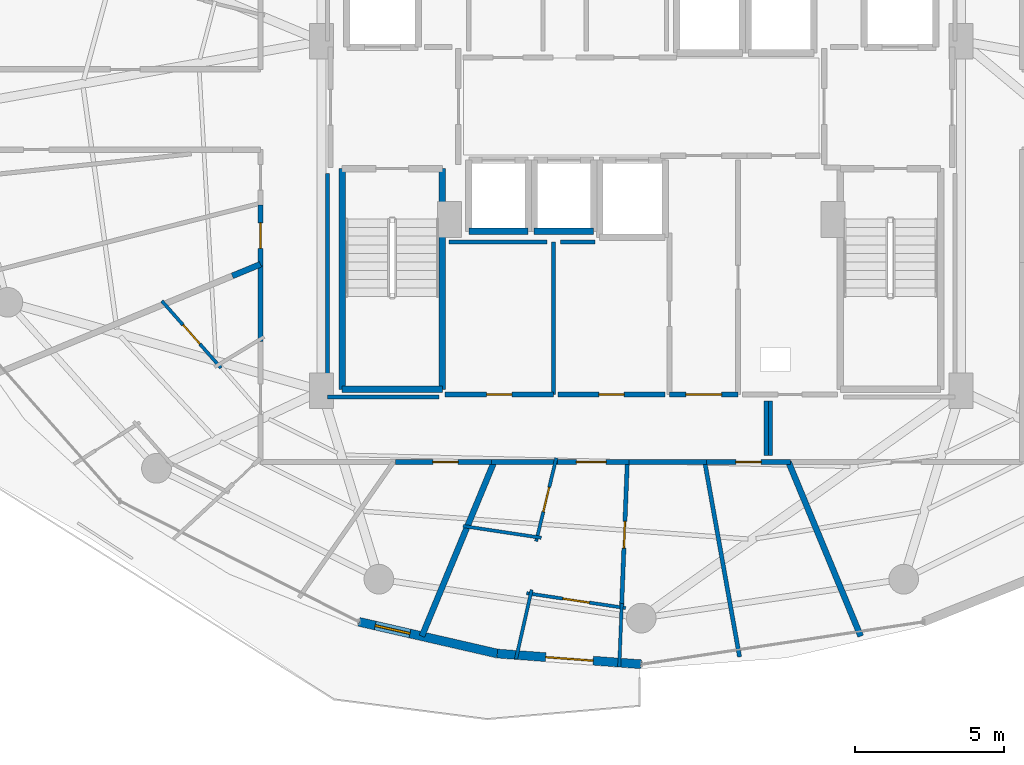
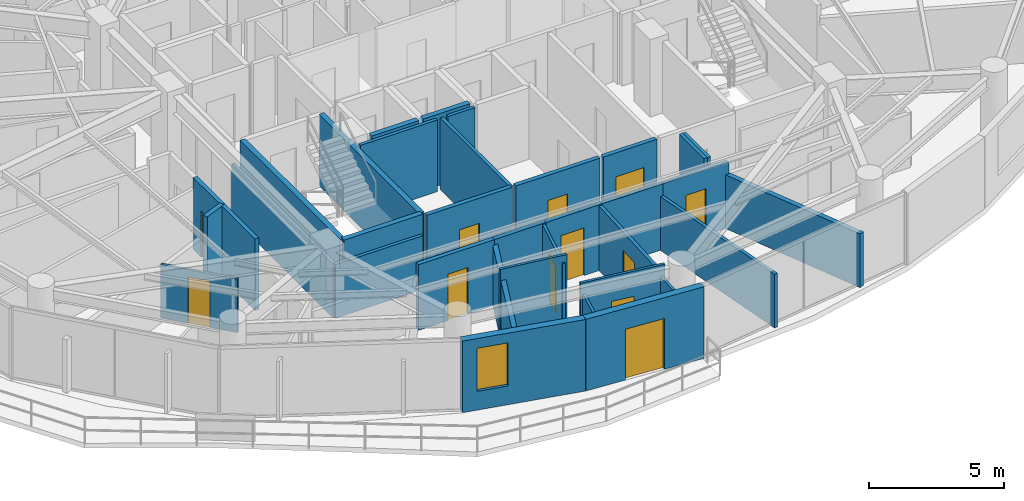
# One storey, part 20 of 28: 35 walls, 12 doors, 1 window, 13 openings.
"""IFC4 building model written with IfcOpenShell, lengths in metres."""

from ifc_helpers import new_model, si_unit, direction, frame, frame_2d, origin, place, context, subcontext, project, spatial, rectangle, extrude, material, layer, layer_set, type_object, element, fill, save


model = new_model("IFC4")

# Units and contexts
model_context = context("Model", 3, precision=1e-05, world=origin(), true_north=direction((0.0, 1.0)))
body_context = subcontext(model_context, "Body", "Model", "MODEL_VIEW")
ifc_project = project(units=[si_unit("LENGTHUNIT", "METRE"), si_unit("AREAUNIT", "SQUARE_METRE"), si_unit("VOLUMEUNIT", "CUBIC_METRE"), si_unit("PLANEANGLEUNIT", "RADIAN"), si_unit("MASSUNIT", "GRAM", prefix="KILO")], contexts=[model_context])

# Site, building, storey
site_placement = place(None, origin())
site = spatial("IfcSite", under=ifc_project, at=site_placement, CompositionType="ELEMENT")
building_placement = place(site_placement, origin())
building = spatial("IfcBuilding", under=site, at=building_placement, Name="Vorneva Point Tower", CompositionType="ELEMENT")
storey_placement = place(building_placement, frame((0.0, 0.0, 143.10009765625)))
storey = spatial("IfcBuildingStorey", under=building, at=storey_placement, Name="L38", CompositionType="ELEMENT", Elevation=143.10009765625)

# Wall, opening, window
ifc_material_1 = material(Name="Precast concrete B50 (C40/50)", Category="concrete")
ifc_layer_1 = layer(ifc_material_1, 0.300048828125)
ifc_layer_set_1 = layer_set([ifc_layer_1], Name="Precast concrete B50 (C40/50)")
wall_type_1 = type_object("IfcWallType", Name="WL-EXT-300", PredefinedType="STANDARD", material=ifc_layer_set_1)
wall_1_placement = place(storey_placement, frame((28.509521484375, 8.67724609375, 0.0), z_axis=(0.0, 0.0, 1.0), x_axis=(0.974698897188, -0.223521944832, 0.0)))
wall_1 = element("IfcWall", 1, at=wall_1_placement, inside=storey, type_object=wall_type_1, Name="L38 Pale-Metal Facade Spandrel Wall 12.1", PredefinedType="STANDARD", context=body_context, shape_type="SweptSolid", body=[
    extrude(rectangle(XDim=4.773193359375, YDim=0.300048828125, at=frame_2d((2.38671875, 0.0))), origin(), (0.0, 0.0, 1.0), 3.239990234375),
])
opening_1_placement = place(wall_1_placement, frame((0.55908203125, 0.0, 0.85009765625)))
opening_1 = element("IfcOpeningElement", 2, at=opening_1_placement, cuts=wall_1, Name="Opening W-04", PredefinedType="OPENING", context=body_context, shape_type="SweptSolid", body=[
    extrude(rectangle(XDim=1.199951171875, YDim=1.949951171875, at=frame_2d((0.60009765625, 0.97509765625))), frame((0.0, 0.1650390625, 0.0), z_axis=(0.0, -1.0, 0.0), x_axis=(1.0, 0.0, 0.0)), (0.0, 0.0, 1.0), 0.329833984375),
])
ifc_material_2 = material(Name="Double low-e laminated glass IGU", Category="glass")
window_type = type_object("IfcWindowType", Name="WN-RES-1200", PartitioningType="SINGLE_PANEL", PredefinedType="WINDOW", material=ifc_material_2)
window_placement = place(opening_1_placement, origin())
window = element("IfcWindow", 3, at=window_placement, inside=storey, type_object=window_type, Name="L38 Dwelling Vision Window 02", OverallHeight=1.949951171875, OverallWidth=1.199951171875, PartitioningType="SINGLE_PANEL", PredefinedType="WINDOW", context=body_context, shape_type="SweptSolid", body=[
    extrude(rectangle(XDim=1.199951171875, YDim=1.949951171875, at=frame_2d((0.60009765625, 0.97509765625))), frame((0.0, 0.030029296875, 0.0), z_axis=(0.0, -1.0, 0.0), x_axis=(1.0, 0.0, 0.0)), (0.0, 0.0, 1.0), 0.06005859375),
])
fill(opening_1, window)

# Wall, opening, door
wall_2_placement = place(storey_placement, frame((33.161865234375, 7.6103515625, 0.0), z_axis=(0.0, 0.0, 1.0), x_axis=(0.997237740067, -0.074275768499, 0.0)))
wall_2 = element("IfcWall", 4, at=wall_2_placement, inside=storey, type_object=wall_type_1, Name="L38 Pale-Metal Facade Spandrel Wall 12.2", PredefinedType="STANDARD", context=body_context, shape_type="SweptSolid", body=[
    extrude(rectangle(XDim=4.8515625, YDim=0.300048828125, at=frame_2d((2.42578125, 0.0))), origin(), (0.0, 0.0, 1.0), 3.239990234375),
])
opening_2_placement = place(wall_2_placement, frame((1.625732421875, 0.0, 0.0)))
opening_2 = element("IfcOpeningElement", 5, at=opening_2_placement, cuts=wall_2, Name="Opening BD-01", PredefinedType="OPENING", context=body_context, shape_type="SweptSolid", body=[
    extrude(rectangle(XDim=1.60009765625, YDim=2.300048828125, at=frame_2d((0.800048828125, 1.14990234375))), frame((0.0, 0.1650390625, 0.0), z_axis=(0.0, -1.0, 0.0), x_axis=(1.0, 0.0, 0.0)), (0.0, 0.0, 1.0), 0.329833984375),
])
ifc_material_3 = material(Name="Pale anodised aluminium", Category="aluminium")
door_type_1 = type_object("IfcDoorType", Name="DR-BAL-1600", OperationType="SLIDING_TO_LEFT", PredefinedType="DOOR", material=ifc_material_3)
door_1_placement = place(opening_2_placement, origin())
door_1 = element("IfcDoor", 6, at=door_1_placement, inside=storey, type_object=door_type_1, Name="L38 Balcony Terrace Access Door 12", OperationType="SLIDING_TO_LEFT", OverallHeight=2.300048828125, OverallWidth=1.60009765625, PredefinedType="DOOR", context=body_context, shape_type="SweptSolid", body=[
    extrude(rectangle(XDim=1.60009765625, YDim=2.300048828125, at=frame_2d((0.800048828125, 1.14990234375))), frame((0.0, 0.02490234375, 0.0), z_axis=(0.0, -1.0, 0.0), x_axis=(1.0, 0.0, 0.0)), (0.0, 0.0, 1.0), 0.050048828125),
])
fill(opening_2, door_1)

ifc_material_4 = material(Name="Fire-rated acoustic gypsum stud partition", Category="gypsum")
ifc_layer_2 = layer(ifc_material_4, 0.110107421875)
ifc_layer_set_2 = layer_set([ifc_layer_2], Name="Fire-rated acoustic gypsum stud partition")
wall_type_2 = type_object("IfcWallType", Name="WL-PART-110", PredefinedType="PARTITIONING", material=ifc_layer_set_2)
wall_3_placement = place(storey_placement, frame((23.87158203125, 17.211181640625, 0.0), z_axis=(0.0, 0.0, 1.0), x_axis=(-0.66196248337, 0.74953697081, 0.0)))
wall_3 = element("IfcWall", 7, at=wall_3_placement, inside=storey, type_object=wall_type_2, Name="L38 Interior Partition 117", PredefinedType="PARTITIONING", context=body_context, shape_type="SweptSolid", body=[
    extrude(rectangle(XDim=3.008056640625, YDim=0.110107421875, at=frame_2d((1.50390625, 0.0))), origin(), (0.0, 0.0, 1.0), 2.431884765625),
])
opening_3_placement = place(wall_3_placement, frame((1.0791015625, 0.0, 0.0)))
opening_3 = element("IfcOpeningElement", 8, at=opening_3_placement, cuts=wall_3, Name="Opening ID-02", PredefinedType="OPENING", context=body_context, shape_type="SweptSolid", body=[
    extrude(rectangle(XDim=0.85009765625, YDim=2.10009765625, at=frame_2d((0.425048828125, 1.050048828125))), frame((0.0, 0.06982421875, 0.0), z_axis=(0.0, -1.0, 0.0), x_axis=(1.0, 0.0, 0.0)), (0.0, 0.0, 1.0), 0.139892578125),
])
ifc_material_5 = material(Name="Engineered oak fire-rated door leaf", Category="wood")
door_type_2 = type_object("IfcDoorType", Name="DR-BATH-850", OperationType="NOTDEFINED", PredefinedType="DOOR", material=ifc_material_5)
door_2_placement = place(opening_3_placement, origin())
door_2 = element("IfcDoor", 9, at=door_2_placement, inside=storey, type_object=door_type_2, Name="L38 Door Living and Dining Room L38-05 / Bathroom L38-05", OperationType="SINGLE_SWING_RIGHT", OverallHeight=2.10009765625, OverallWidth=0.85009765625, PredefinedType="DOOR", context=body_context, shape_type="SweptSolid", body=[
    extrude(rectangle(XDim=0.85009765625, YDim=2.10009765625, at=frame_2d((0.425048828125, 1.050048828125))), frame((0.0, 0.02490234375, 0.0), z_axis=(0.0, -1.0, 0.0), x_axis=(1.0, 0.0, 0.0)), (0.0, 0.0, 1.0), 0.050048828125),
])
fill(opening_3, door_2)

wall_4_placement = place(storey_placement, frame((35.143798828125, 14.18603515625, 0.0), z_axis=(0.0, 0.0, 1.0), x_axis=(-0.234930486238, -0.972012174119, 0.0)))
wall_4 = element("IfcWall", 10, at=wall_4_placement, inside=storey, type_object=wall_type_2, Name="L38 Interior Partition 125", PredefinedType="PARTITIONING", context=body_context, shape_type="SweptSolid", body=[
    extrude(rectangle(XDim=2.880615234375, YDim=0.110107421875, at=frame_2d((1.4404296875, 0.0))), origin(), (0.0, 0.0, 1.0), 2.921875),
])
opening_4_placement = place(wall_4_placement, frame((1.015380859375, 0.0, 0.0)))
opening_4 = element("IfcOpeningElement", 11, at=opening_4_placement, cuts=wall_4, Name="Opening ID-02", PredefinedType="OPENING", context=body_context, shape_type="SweptSolid", body=[
    extrude(rectangle(XDim=0.85009765625, YDim=2.10009765625, at=frame_2d((0.425048828125, 1.050048828125))), frame((0.0, 0.06982421875, 0.0), z_axis=(0.0, -1.0, 0.0), x_axis=(1.0, 0.0, 0.0)), (0.0, 0.0, 1.0), 0.139892578125),
])
door_3_placement = place(opening_4_placement, origin())
door_3 = element("IfcDoor", 12, at=door_3_placement, inside=storey, type_object=door_type_2, Name="L38 Door Living and Dining Room L38-06 / Bathroom L38-06", OperationType="SINGLE_SWING_LEFT", OverallHeight=2.10009765625, OverallWidth=0.85009765625, PredefinedType="DOOR", context=body_context, shape_type="SweptSolid", body=[
    extrude(rectangle(XDim=0.85009765625, YDim=2.10009765625, at=frame_2d((0.425048828125, 1.050048828125))), frame((0.0, 0.02490234375, 0.0), z_axis=(0.0, -1.0, 0.0), x_axis=(1.0, 0.0, 0.0)), (0.0, 0.0, 1.0), 0.050048828125),
])
fill(opening_4, door_3)

# Wall
wall_5_placement = place(storey_placement, frame((34.638427734375, 11.501220703125, 0.0), z_axis=(0.0, 0.0, 1.0), x_axis=(-0.988839741605, 0.148983104484, 0.0)))
element("IfcWall", 13, at=wall_5_placement, inside=storey, type_object=wall_type_2, Name="L38 Interior Partition 126", PredefinedType="PARTITIONING", context=body_context, shape_type="SweptSolid", body=[
    extrude(rectangle(XDim=2.65625, YDim=0.110107421875, at=frame_2d((1.328125, 0.0))), origin(), (0.0, 0.0, 1.0), 3.239990234375),
])

# Wall, opening, door
wall_6_placement = place(storey_placement, frame((34.1455078125, 9.639892578125, 0.0), z_axis=(0.0, 0.0, 1.0), x_axis=(0.988887919082, -0.148662986296, 0.0)))
wall_6 = element("IfcWall", 14, at=wall_6_placement, inside=storey, type_object=wall_type_2, Name="L38 Interior Partition 127", PredefinedType="PARTITIONING", context=body_context, shape_type="SweptSolid", body=[
    extrude(rectangle(XDim=3.3681640625, YDim=0.110107421875, at=frame_2d((1.68408203125, 0.0))), origin(), (0.0, 0.0, 1.0), 3.239990234375),
])
opening_5_placement = place(wall_6_placement, frame((1.234130859375, 0.0, 0.0)))
opening_5 = element("IfcOpeningElement", 15, at=opening_5_placement, cuts=wall_6, Name="Opening ID-01", PredefinedType="OPENING", context=body_context, shape_type="SweptSolid", body=[
    extrude(rectangle(XDim=0.89990234375, YDim=2.10009765625, at=frame_2d((0.449951171875, 1.050048828125))), frame((0.0, 0.06982421875, 0.0), z_axis=(0.0, -1.0, 0.0), x_axis=(1.0, 0.0, 0.0)), (0.0, 0.0, 1.0), 0.139892578125),
])
door_type_3 = type_object("IfcDoorType", Name="DR-ROOM-900", OperationType="NOTDEFINED", PredefinedType="DOOR", material=ifc_material_5)
door_4_placement = place(opening_5_placement, origin())
door_4 = element("IfcDoor", 16, at=door_4_placement, inside=storey, type_object=door_type_3, Name="L38 Door Living and Dining Room L38-06 / Kitchen L38-06", OperationType="SINGLE_SWING_RIGHT", OverallHeight=2.10009765625, OverallWidth=0.89990234375, PredefinedType="DOOR", context=body_context, shape_type="SweptSolid", body=[
    extrude(rectangle(XDim=0.89990234375, YDim=2.10009765625, at=frame_2d((0.449951171875, 1.050048828125))), frame((0.0, 0.02490234375, 0.0), z_axis=(0.0, -1.0, 0.0), x_axis=(1.0, 0.0, 0.0)), (0.0, 0.0, 1.0), 0.050048828125),
])
fill(opening_5, door_4)

# Walls
wall_7_placement = place(storey_placement, frame((33.787109375, 7.425537109375, 0.0), z_axis=(0.0, 0.0, 1.0), x_axis=(0.220932027223, 0.975289208054, 0.0)))
element("IfcWall", 17, at=wall_7_placement, inside=storey, type_object=wall_type_2, Name="L38 Interior Partition 128", PredefinedType="PARTITIONING", context=body_context, shape_type="SweptSolid", body=[
    extrude(rectangle(XDim=2.38916015625, YDim=0.110107421875, at=frame_2d((1.194580078125, 0.0))), origin(), (0.0, 0.0, 1.0), 2.727783203125),
])
wall_8_placement = place(storey_placement, frame((37.259521484375, 7.1650390625, 0.0), z_axis=(0.0, 0.0, 1.0), x_axis=(0.039310852952, 0.999227029679, 0.0)))
element("IfcWall", 18, at=wall_8_placement, inside=storey, type_object=wall_type_2, Name="L38 Interior Partition 130", PredefinedType="PARTITIONING", context=body_context, shape_type="SweptSolid", body=[
    extrude(rectangle(XDim=2.136474609375, YDim=0.110107421875, at=frame_2d((1.068359375, 0.0))), origin(), (0.0, 0.0, 1.0), 2.727783203125),
])
ifc_layer_3 = layer(ifc_material_4, 0.139892578125)
ifc_layer_set_3 = layer_set([ifc_layer_3], Name="Fire-rated acoustic gypsum stud partition")
wall_type_3 = type_object("IfcWallType", Name="WL-PART-140", PredefinedType="PARTITIONING", material=ifc_layer_set_3)
wall_9_placement = place(storey_placement, frame((35.050048828125, 16.320068359375, 0.0), z_axis=(0.0, 0.0, 1.0), x_axis=(0.0, 1.0, 0.0)))
element("IfcWall", 19, at=wall_9_placement, inside=storey, type_object=wall_type_3, Name="L38 Interior Partition 026", PredefinedType="PARTITIONING", context=body_context, shape_type="SweptSolid", body=[
    extrude(rectangle(XDim=5.1298828125, YDim=0.139892578125, at=frame_2d((2.56494140625, 0.0))), origin(), (0.0, 0.0, 1.0), 3.239990234375),
])

# Wall, opening, door
wall_10_placement = place(storey_placement, frame((37.337890625, 9.159912109375, 0.0), z_axis=(0.0, 0.0, 1.0), x_axis=(0.039260769946, 0.99922899875, 0.0)))
wall_10 = element("IfcWall", 20, at=wall_10_placement, inside=storey, type_object=wall_type_3, Name="L38 Interior Partition 129", PredefinedType="PARTITIONING", context=body_context, shape_type="SweptSolid", body=[
    extrude(rectangle(XDim=4.893798828125, YDim=0.139892578125, at=frame_2d((2.44677734375, 0.0))), origin(), (0.0, 0.0, 1.0), 2.921875),
])
opening_6_placement = place(wall_10_placement, frame((1.996826171875, 0.0, 0.0)))
opening_6 = element("IfcOpeningElement", 21, at=opening_6_placement, cuts=wall_10, Name="Opening ID-01", PredefinedType="OPENING", context=body_context, shape_type="SweptSolid", body=[
    extrude(rectangle(XDim=0.89990234375, YDim=2.10009765625, at=frame_2d((0.449951171875, 1.050048828125))), frame((0.0, 0.0849609375, 0.0), z_axis=(0.0, -1.0, 0.0), x_axis=(1.0, 0.0, 0.0)), (0.0, 0.0, 1.0), 0.169677734375),
])
door_5_placement = place(opening_6_placement, origin())
door_5 = element("IfcDoor", 22, at=door_5_placement, inside=storey, type_object=door_type_3, Name="L38 Door Living and Dining Room L38-06 / Master Bedroom L38-06.1", OperationType="SINGLE_SWING_LEFT", OverallHeight=2.10009765625, OverallWidth=0.89990234375, PredefinedType="DOOR", context=body_context, shape_type="SweptSolid", body=[
    extrude(rectangle(XDim=0.89990234375, YDim=2.10009765625, at=frame_2d((0.449951171875, 1.050048828125))), frame((0.0, 0.02490234375, 0.0), z_axis=(0.0, -1.0, 0.0), x_axis=(1.0, 0.0, 0.0)), (0.0, 0.0, 1.0), 0.050048828125),
])
fill(opening_6, door_5)

# Walls
wall_11_placement = place(storey_placement, frame((41.303955078125, 7.4970703125, 0.0), z_axis=(0.0, 0.0, 1.0), x_axis=(-0.175753825846, 0.984434148484, 0.0)))
element("IfcWall", 23, at=wall_11_placement, inside=storey, type_object=wall_type_3, Name="L38 Interior Partition 131", PredefinedType="PARTITIONING", context=body_context, shape_type="SweptSolid", body=[
    extrude(rectangle(XDim=6.656494140625, YDim=0.139892578125, at=frame_2d((3.328125, 0.0))), origin(), (0.0, 0.0, 1.0), 2.431884765625),
])
wall_12_placement = place(storey_placement, frame((34.830078125, 21.449951171875, 0.0), z_axis=(0.0, 0.0, 1.0), x_axis=(-1.0, 0.0, 0.0)))
element("IfcWall", 24, at=wall_12_placement, inside=storey, type_object=wall_type_3, Name="L38 Interior Closure Partition 140", PredefinedType="PARTITIONING", context=body_context, shape_type="SweptSolid", body=[
    extrude(rectangle(XDim=3.300048828125, YDim=0.139892578125, at=frame_2d((1.64990234375, 0.0))), origin(), (0.0, 0.0, 1.0), 3.239990234375),
])
wall_13_placement = place(storey_placement, frame((36.43896484375, 21.449951171875, 0.0), z_axis=(0.0, 0.0, 1.0), x_axis=(-1.0, 0.0, 0.0)))
element("IfcWall", 25, at=wall_13_placement, inside=storey, type_object=wall_type_3, Name="L38 Interior Closure Partition 141", PredefinedType="PARTITIONING", context=body_context, shape_type="SweptSolid", body=[
    extrude(rectangle(XDim=1.158935546875, YDim=0.139892578125, at=frame_2d((0.57958984375, 0.0))), origin(), (0.0, 0.0, 1.0), 3.239990234375),
])
wall_14_placement = place(storey_placement, frame((27.449951171875, 23.75390625, 0.0), z_axis=(0.0, 0.0, 1.0), x_axis=(0.0, -1.0, 0.0)))
element("IfcWall", 26, at=wall_14_placement, inside=storey, type_object=wall_type_3, Name="L38 Interior Closure Partition 152", PredefinedType="PARTITIONING", context=body_context, shape_type="SweptSolid", body=[
    extrude(rectangle(XDim=7.513916015625, YDim=0.139892578125, at=frame_2d((3.7568359375, 0.0))), origin(), (0.0, 0.0, 1.0), 2.431884765625),
])
wall_15_placement = place(storey_placement, frame((27.449951171875, 16.239990234375, 0.0), z_axis=(0.0, 0.0, 1.0), x_axis=(1.0, 0.0, 0.0)))
element("IfcWall", 27, at=wall_15_placement, inside=storey, type_object=wall_type_3, Name="L38 Interior Closure Partition 153", PredefinedType="PARTITIONING", context=body_context, shape_type="SweptSolid", body=[
    extrude(rectangle(XDim=3.7451171875, YDim=0.139892578125, at=frame_2d((1.87255859375, 0.0))), origin(), (0.0, 0.0, 1.0), 2.431884765625),
])
for number, where, z_axis, x_axis, name in (
    (28, (42.199951171875, 16.10009765625, 0.0), (0.0, 0.0, 1.0), (0.0, -1.0, 0.0), "L38 Interior Closure Partition 154"),
    (29, (42.340087890625, 14.27001953125, 0.0), (0.0, 0.0, 1.0), (0.0, 1.0, 0.0), "L38 Interior Closure Partition 155"),
):
    element("IfcWall", number, at=place(storey_placement, frame(where, z_axis=z_axis, x_axis=x_axis)), inside=storey, type_object=wall_type_3, Name=name, PredefinedType="PARTITIONING", context=body_context, shape_type="SweptSolid", body=[
        extrude(rectangle(XDim=1.830078125, YDim=0.139892578125, at=frame_2d((0.9150390625, 0.0))), origin(), (0.0, 0.0, 1.0), 3.239990234375),
    ])

# Wall, opening, door
ifc_material_6 = material(Name="Autoclaved aerated concrete blockwork", Category="masonry")
ifc_layer_4 = layer(ifc_material_6, 0.179931640625)
ifc_layer_set_4 = layer_set([ifc_layer_4], Name="Autoclaved aerated concrete blockwork")
wall_type_4 = type_object("IfcWallType", Name="WL-PART-180", PredefinedType="PARTITIONING", material=ifc_layer_set_4)
wall_16_placement = place(storey_placement, frame((38.949951171875, 16.320068359375, 0.0), z_axis=(0.0, 0.0, 1.0), x_axis=(1.0, 0.0, 0.0)))
wall_16 = element("IfcWall", 30, at=wall_16_placement, inside=storey, type_object=wall_type_4, Name="L38 Interior Partition 016", PredefinedType="PARTITIONING", context=body_context, shape_type="SweptSolid", body=[
    extrude(rectangle(XDim=2.300048828125, YDim=0.179931640625, at=frame_2d((1.14990234375, 0.0))), origin(), (0.0, 0.0, 1.0), 3.239990234375),
])
opening_7_placement = place(wall_16_placement, frame((0.550048828125, 0.0, 0.0)))
opening_7 = element("IfcOpeningElement", 31, at=opening_7_placement, cuts=wall_16, Name="Opening FD-02", PredefinedType="OPENING", context=body_context, shape_type="SweptSolid", body=[
    extrude(rectangle(XDim=1.199951171875, YDim=2.14990234375, at=frame_2d((0.60009765625, 1.074951171875))), frame((0.0, 0.10498046875, 0.0), z_axis=(0.0, -1.0, 0.0), x_axis=(1.0, 0.0, 0.0)), (0.0, 0.0, 1.0), 0.209716796875),
])
ifc_material_7 = material(Name="Fire-rated powder-coated steel", Category="steel")
door_type_4 = type_object("IfcDoorType", Name="DR-FFL-1200", OperationType="NOTDEFINED", PredefinedType="DOOR", material=ifc_material_7)
door_6_placement = place(opening_7_placement, origin())
door_6 = element("IfcDoor", 32, at=door_6_placement, inside=storey, type_object=door_type_4, Name="L38 Door Core Service Lobby / L38 Circulation Corridor", OperationType="SINGLE_SWING_LEFT", OverallHeight=2.14990234375, OverallWidth=1.199951171875, PredefinedType="DOOR", context=body_context, shape_type="SweptSolid", body=[
    extrude(rectangle(XDim=1.199951171875, YDim=2.14990234375, at=frame_2d((0.60009765625, 1.074951171875))), frame((0.0, 0.02490234375, 0.0), z_axis=(0.0, -1.0, 0.0), x_axis=(1.0, 0.0, 0.0)), (0.0, 0.0, 1.0), 0.050048828125),
])
fill(opening_7, door_6)

wall_17_placement = place(storey_placement, frame((31.39990234375, 16.320068359375, 0.0), z_axis=(0.0, 0.0, 1.0), x_axis=(1.0, 0.0, 0.0)))
wall_17 = element("IfcWall", 33, at=wall_17_placement, inside=storey, type_object=wall_type_4, Name="L38 Interior Partition 027", PredefinedType="PARTITIONING", context=body_context, shape_type="SweptSolid", body=[
    extrude(rectangle(XDim=3.650146484375, YDim=0.179931640625, at=frame_2d((1.8251953125, 0.0))), origin(), (0.0, 0.0, 1.0), 3.239990234375),
])
opening_8_placement = place(wall_17_placement, frame((1.39990234375, 0.0, 0.0)))
opening_8 = element("IfcOpeningElement", 34, at=opening_8_placement, cuts=wall_17, Name="Opening ID-02", PredefinedType="OPENING", context=body_context, shape_type="SweptSolid", body=[
    extrude(rectangle(XDim=0.85009765625, YDim=2.10009765625, at=frame_2d((0.425048828125, 1.050048828125))), frame((0.0, 0.10498046875, 0.0), z_axis=(0.0, -1.0, 0.0), x_axis=(1.0, 0.0, 0.0)), (0.0, 0.0, 1.0), 0.209716796875),
])
door_7_placement = place(opening_8_placement, origin())
door_7 = element("IfcDoor", 35, at=door_7_placement, inside=storey, type_object=door_type_2, Name="L38 Door Cleaners Store / L38 Circulation Corridor", OperationType="SINGLE_SWING_RIGHT", OverallHeight=2.10009765625, OverallWidth=0.85009765625, PredefinedType="DOOR", context=body_context, shape_type="SweptSolid", body=[
    extrude(rectangle(XDim=0.85009765625, YDim=2.10009765625, at=frame_2d((0.425048828125, 1.050048828125))), frame((0.0, 0.02490234375, 0.0), z_axis=(0.0, -1.0, 0.0), x_axis=(1.0, 0.0, 0.0)), (0.0, 0.0, 1.0), 0.050048828125),
])
fill(opening_8, door_7)

wall_18_placement = place(storey_placement, frame((35.199951171875, 16.320068359375, 0.0), z_axis=(0.0, 0.0, 1.0), x_axis=(1.0, 0.0, 0.0)))
wall_18 = element("IfcWall", 36, at=wall_18_placement, inside=storey, type_object=wall_type_4, Name="L38 Interior Partition 028", PredefinedType="PARTITIONING", context=body_context, shape_type="SweptSolid", body=[
    extrude(rectangle(XDim=3.60009765625, YDim=0.179931640625, at=frame_2d((1.800048828125, 0.0))), origin(), (0.0, 0.0, 1.0), 3.239990234375),
])
opening_9_placement = place(wall_18_placement, frame((1.375, 0.0, 0.0)))
opening_9 = element("IfcOpeningElement", 37, at=opening_9_placement, cuts=wall_18, Name="Opening ID-02", PredefinedType="OPENING", context=body_context, shape_type="SweptSolid", body=[
    extrude(rectangle(XDim=0.85009765625, YDim=2.10009765625, at=frame_2d((0.425048828125, 1.050048828125))), frame((0.0, 0.10498046875, 0.0), z_axis=(0.0, -1.0, 0.0), x_axis=(1.0, 0.0, 0.0)), (0.0, 0.0, 1.0), 0.209716796875),
])
door_8_placement = place(opening_9_placement, origin())
door_8 = element("IfcDoor", 38, at=door_8_placement, inside=storey, type_object=door_type_2, Name="L38 Door Tenant Equipment Store / L38 Circulation Corridor", OperationType="SINGLE_SWING_LEFT", OverallHeight=2.10009765625, OverallWidth=0.85009765625, PredefinedType="DOOR", context=body_context, shape_type="SweptSolid", body=[
    extrude(rectangle(XDim=0.85009765625, YDim=2.10009765625, at=frame_2d((0.425048828125, 1.050048828125))), frame((0.0, 0.02490234375, 0.0), z_axis=(0.0, -1.0, 0.0), x_axis=(1.0, 0.0, 0.0)), (0.0, 0.0, 1.0), 0.050048828125),
])
fill(opening_9, door_8)

wall_19_placement = place(storey_placement, frame((25.199951171875, 22.68701171875, 0.0), z_axis=(0.0, 0.0, 1.0), x_axis=(0.0, -1.0, 0.0)))
wall_19 = element("IfcWall", 39, at=wall_19_placement, inside=storey, type_object=wall_type_4, Name="L38 Interior Partition 052", PredefinedType="PARTITIONING", context=body_context, shape_type="SweptSolid", body=[
    extrude(rectangle(XDim=2.053955078125, YDim=0.179931640625, at=frame_2d((1.02685546875, 0.0))), origin(), (0.0, 0.0, 1.0), 3.239990234375),
])
opening_10_placement = place(wall_19_placement, frame((0.60205078125, 0.0, 0.0)))
opening_10 = element("IfcOpeningElement", 40, at=opening_10_placement, cuts=wall_19, Name="Opening ID-02", PredefinedType="OPENING", context=body_context, shape_type="SweptSolid", body=[
    extrude(rectangle(XDim=0.85009765625, YDim=2.10009765625, at=frame_2d((0.425048828125, 1.050048828125))), frame((0.0, 0.10498046875, 0.0), z_axis=(0.0, -1.0, 0.0), x_axis=(1.0, 0.0, 0.0)), (0.0, 0.0, 1.0), 0.209716796875),
])
door_9_placement = place(opening_10_placement, origin())
door_9 = element("IfcDoor", 41, at=door_9_placement, inside=storey, type_object=door_type_2, Name="L38 Access Door L38 Circulation Corridor", OperationType="SINGLE_SWING_RIGHT", OverallHeight=2.10009765625, OverallWidth=0.85009765625, PredefinedType="DOOR", context=body_context, shape_type="SweptSolid", body=[
    extrude(rectangle(XDim=0.85009765625, YDim=2.10009765625, at=frame_2d((0.425048828125, 1.050048828125))), frame((0.0, 0.02490234375, 0.0), z_axis=(0.0, -1.0, 0.0), x_axis=(1.0, 0.0, 0.0)), (0.0, 0.0, 1.0), 0.050048828125),
])
fill(opening_10, door_9)

# Wall
wall_20_placement = place(storey_placement, frame((25.199951171875, 20.77294921875, 0.0), z_axis=(0.0, 0.0, 1.0), x_axis=(0.0, -1.0, 0.0)))
element("IfcWall", 42, at=wall_20_placement, inside=storey, type_object=wall_type_4, Name="L38 Interior Partition 054", PredefinedType="PARTITIONING", context=body_context, shape_type="SweptSolid", body=[
    extrude(rectangle(XDim=2.6689453125, YDim=0.179931640625, at=frame_2d((1.33447265625, 0.0))), origin(), (0.0, 0.0, 1.0), 3.239990234375),
])

# Wall, opening, door
wall_21_placement = place(storey_placement, frame((29.73095703125, 14.050048828125, 0.0), z_axis=(0.0, 0.0, 1.0), x_axis=(1.0, 0.0, 0.0)))
wall_21 = element("IfcWall", 43, at=wall_21_placement, inside=storey, type_object=wall_type_4, Name="L38 Interior Partition 056", PredefinedType="PARTITIONING", context=body_context, shape_type="SweptSolid", body=[
    extrude(rectangle(XDim=3.379150390625, YDim=0.179931640625, at=frame_2d((1.689453125, 0.0))), origin(), (0.0, 0.0, 1.0), 2.971923828125),
])
opening_11_placement = place(wall_21_placement, frame((1.264404296875, 0.0, 0.0)))
opening_11 = element("IfcOpeningElement", 44, at=opening_11_placement, cuts=wall_21, Name="Opening ID-02", PredefinedType="OPENING", context=body_context, shape_type="SweptSolid", body=[
    extrude(rectangle(XDim=0.85009765625, YDim=2.10009765625, at=frame_2d((0.425048828125, 1.050048828125))), frame((0.0, 0.10498046875, 0.0), z_axis=(0.0, -1.0, 0.0), x_axis=(1.0, 0.0, 0.0)), (0.0, 0.0, 1.0), 0.209716796875),
])
door_10_placement = place(opening_11_placement, origin())
door_10 = element("IfcDoor", 45, at=door_10_placement, inside=storey, type_object=door_type_2, Name="L38 Access Door L38 Circulation Corridor", OperationType="SINGLE_SWING_LEFT", OverallHeight=2.10009765625, OverallWidth=0.85009765625, PredefinedType="DOOR", context=body_context, shape_type="SweptSolid", body=[
    extrude(rectangle(XDim=0.85009765625, YDim=2.10009765625, at=frame_2d((0.425048828125, 1.050048828125))), frame((0.0, 0.02490234375, 0.0), z_axis=(0.0, -1.0, 0.0), x_axis=(1.0, 0.0, 0.0)), (0.0, 0.0, 1.0), 0.050048828125),
])
fill(opening_11, door_10)

wall_22_placement = place(storey_placement, frame((35.049072265625, 14.050048828125, 0.0), z_axis=(0.0, 0.0, 1.0), x_axis=(1.0, 0.0, 0.0)))
wall_22 = element("IfcWall", 46, at=wall_22_placement, inside=storey, type_object=wall_type_4, Name="L38 Interior Partition 057", PredefinedType="PARTITIONING", context=body_context, shape_type="SweptSolid", body=[
    extrude(rectangle(XDim=2.541015625, YDim=0.179931640625, at=frame_2d((1.2705078125, 0.0))), origin(), (0.0, 0.0, 1.0), 2.971923828125),
])
opening_12_placement = place(wall_22_placement, frame((0.7705078125, 0.0, 0.0)))
opening_12 = element("IfcOpeningElement", 47, at=opening_12_placement, cuts=wall_22, Name="Opening UD-01", PredefinedType="OPENING", context=body_context, shape_type="SweptSolid", body=[
    extrude(rectangle(XDim=1.0, YDim=2.14990234375, at=frame_2d((0.5, 1.074951171875))), frame((0.0, 0.10498046875, 0.0), z_axis=(0.0, -1.0, 0.0), x_axis=(1.0, 0.0, 0.0)), (0.0, 0.0, 1.0), 0.209716796875),
])
door_type_5 = type_object("IfcDoorType", Name="DR-UNIT-1000", OperationType="NOTDEFINED", PredefinedType="DOOR", material=ifc_material_5)
door_11_placement = place(opening_12_placement, origin())
door_11 = element("IfcDoor", 48, at=door_11_placement, inside=storey, type_object=door_type_5, Name="L38 Door L38 Circulation Corridor / Living and Dining Room L38-06", OperationType="SINGLE_SWING_LEFT", OverallHeight=2.14990234375, OverallWidth=1.0, PredefinedType="DOOR", context=body_context, shape_type="SweptSolid", body=[
    extrude(rectangle(XDim=1.0, YDim=2.14990234375, at=frame_2d((0.5, 1.074951171875))), frame((0.0, 0.02490234375, 0.0), z_axis=(0.0, -1.0, 0.0), x_axis=(1.0, 0.0, 0.0)), (0.0, 0.0, 1.0), 0.050048828125),
])
fill(opening_12, door_11)

# Walls
wall_23_placement = place(storey_placement, frame((32.969970703125, 14.050048828125, 0.0), z_axis=(0.0, 0.0, 1.0), x_axis=(1.0, 0.0, 0.0)))
element("IfcWall", 49, at=wall_23_placement, inside=storey, type_object=wall_type_4, Name="L38 Interior Partition 058", PredefinedType="PARTITIONING", context=body_context, shape_type="SweptSolid", body=[
    extrude(rectangle(XDim=2.218994140625, YDim=0.179931640625, at=frame_2d((1.109375, 0.0))), origin(), (0.0, 0.0, 1.0), 2.971923828125),
])
wall_24_placement = place(storey_placement, frame((37.590087890625, 14.050048828125, 0.0), z_axis=(0.0, 0.0, 1.0), x_axis=(1.0, 0.0, 0.0)))
element("IfcWall", 50, at=wall_24_placement, inside=storey, type_object=wall_type_4, Name="L38 Interior Partition 059", PredefinedType="PARTITIONING", context=body_context, shape_type="SweptSolid", body=[
    extrude(rectangle(XDim=2.60498046875, YDim=0.179931640625, at=frame_2d((1.302490234375, 0.0))), origin(), (0.0, 0.0, 1.0), 2.971923828125),
])

# Wall, opening, door
wall_25_placement = place(storey_placement, frame((40.195068359375, 14.050048828125, 0.0), z_axis=(0.0, 0.0, 1.0), x_axis=(1.0, 0.0, 0.0)))
wall_25 = element("IfcWall", 51, at=wall_25_placement, inside=storey, type_object=wall_type_4, Name="L38 Interior Partition 060", PredefinedType="PARTITIONING", context=body_context, shape_type="SweptSolid", body=[
    extrude(rectangle(XDim=2.81982421875, YDim=0.179931640625, at=frame_2d((1.409912109375, 0.0))), origin(), (0.0, 0.0, 1.0), 2.971923828125),
])
opening_13_placement = place(wall_25_placement, frame((0.985107421875, 0.0, 0.0)))
opening_13 = element("IfcOpeningElement", 52, at=opening_13_placement, cuts=wall_25, Name="Opening ID-02", PredefinedType="OPENING", context=body_context, shape_type="SweptSolid", body=[
    extrude(rectangle(XDim=0.85009765625, YDim=2.10009765625, at=frame_2d((0.425048828125, 1.050048828125))), frame((0.0, 0.10498046875, 0.0), z_axis=(0.0, -1.0, 0.0), x_axis=(1.0, 0.0, 0.0)), (0.0, 0.0, 1.0), 0.209716796875),
])
door_12_placement = place(opening_13_placement, origin())
door_12 = element("IfcDoor", 53, at=door_12_placement, inside=storey, type_object=door_type_2, Name="L38 Access Door L38 Circulation Corridor", OperationType="SINGLE_SWING_RIGHT", OverallHeight=2.10009765625, OverallWidth=0.85009765625, PredefinedType="DOOR", context=body_context, shape_type="SweptSolid", body=[
    extrude(rectangle(XDim=0.85009765625, YDim=2.10009765625, at=frame_2d((0.425048828125, 1.050048828125))), frame((0.0, 0.02490234375, 0.0), z_axis=(0.0, -1.0, 0.0), x_axis=(1.0, 0.0, 0.0)), (0.0, 0.0, 1.0), 0.050048828125),
])
fill(opening_13, door_12)

# Walls
ifc_layer_5 = layer(ifc_material_6, 0.199951171875)
ifc_layer_set_5 = layer_set([ifc_layer_5], Name="Autoclaved aerated concrete blockwork")
wall_type_5 = type_object("IfcWallType", Name="WL-PART-200", PredefinedType="PARTITIONING", material=ifc_layer_set_5)
wall_26_placement = place(storey_placement, frame((24.253662109375, 20.306396484375, 0.0), z_axis=(0.0, 0.0, 1.0), x_axis=(0.923789545328, 0.382900608439, 0.0)))
element("IfcWall", 54, at=wall_26_placement, inside=storey, type_object=wall_type_5, Name="L38 Interior Partition 115", PredefinedType="PARTITIONING", context=body_context, shape_type="SweptSolid", body=[
    extrude(rectangle(XDim=1.021484375, YDim=0.199951171875, at=frame_2d((0.5107421875, 0.0))), origin(), (0.0, 0.0, 1.0), 3.239990234375),
])
wall_27_placement = place(storey_placement, frame((30.6240234375, 8.193115234375, 0.0), z_axis=(0.0, 0.0, 1.0), x_axis=(0.382683979298, 0.923879305964, 0.0)))
element("IfcWall", 55, at=wall_27_placement, inside=storey, type_object=wall_type_5, Name="L38 Interior Partition 124", PredefinedType="PARTITIONING", context=body_context, shape_type="SweptSolid", body=[
    extrude(rectangle(XDim=6.339599609375, YDim=0.199951171875, at=frame_2d((3.169921875, 0.0))), origin(), (0.0, 0.0, 1.0), 2.727783203125),
])
wall_28_placement = place(storey_placement, frame((45.3759765625, 8.193115234375, 0.0), z_axis=(0.0, 0.0, 1.0), x_axis=(-0.382683979298, 0.923879305964, 0.0)))
element("IfcWall", 56, at=wall_28_placement, inside=storey, type_object=wall_type_5, Name="L38 Interior Partition 132", PredefinedType="PARTITIONING", context=body_context, shape_type="SweptSolid", body=[
    extrude(rectangle(XDim=6.339599609375, YDim=0.199951171875, at=frame_2d((3.169921875, 0.0))), origin(), (0.0, 0.0, 1.0), 2.431884765625),
])
ifc_material_8 = material(Name="Concrete B50 (C40/50)", Category="concrete")
ifc_layer_6 = layer(ifc_material_8, 0.219970703125)
ifc_layer_set_6 = layer_set([ifc_layer_6], Name="Concrete B50 (C40/50)")
wall_type_6 = type_object("IfcWallType", Name="WL-SHFT-220", PredefinedType="SOLIDWALL", material=ifc_layer_set_6)
wall_29_placement = place(storey_placement, frame((31.31005859375, 23.909912109375, 0.0), z_axis=(0.0, 0.0, 1.0), x_axis=(0.0, -1.0, 0.0)))
element("IfcWall", 57, at=wall_29_placement, inside=storey, type_object=wall_type_6, Name="L38 Exit Stair ST1 Shaft Wall right", PredefinedType="SOLIDWALL", context=body_context, shape_type="SweptSolid", body=[
    extrude(rectangle(XDim=7.419921875, YDim=0.219970703125, at=frame_2d((3.7099609375, 0.0))), origin(), (0.0, 0.0, 1.0), 3.239990234375),
])
wall_30_placement = place(storey_placement, frame((31.31005859375, 16.489990234375, 0.0), z_axis=(0.0, 0.0, 1.0), x_axis=(-1.0, 0.0, 0.0)))
element("IfcWall", 58, at=wall_30_placement, inside=storey, type_object=wall_type_6, Name="L38 Exit Stair ST1 Shaft Wall far", PredefinedType="SOLIDWALL", context=body_context, shape_type="SweptSolid", body=[
    extrude(rectangle(XDim=3.3701171875, YDim=0.219970703125, at=frame_2d((1.68505859375, 0.0))), origin(), (0.0, 0.0, 1.0), 3.239990234375),
])
wall_31_placement = place(storey_placement, frame((27.93994140625, 16.489990234375, 0.0), z_axis=(0.0, 0.0, 1.0), x_axis=(0.0, 1.0, 0.0)))
element("IfcWall", 59, at=wall_31_placement, inside=storey, type_object=wall_type_6, Name="L38 Exit Stair ST1 Shaft Wall left", PredefinedType="SOLIDWALL", context=body_context, shape_type="SweptSolid", body=[
    extrude(rectangle(XDim=7.419921875, YDim=0.219970703125, at=frame_2d((3.7099609375, 0.0))), origin(), (0.0, 0.0, 1.0), 3.239990234375),
])
for number, where, z_axis, x_axis, name in (
    (60, (32.199951171875, 21.800048828125, 0.0), (0.0, 0.0, 1.0), (1.0, 0.0, 0.0), "L38 Lift PL4 Shaft Wall -Y"),
    (61, (34.39990234375, 21.800048828125, 0.0), (0.0, 0.0, 1.0), (1.0, 0.0, 0.0), "L38 Lift PL5 Shaft Wall -Y"),
):
    element("IfcWall", number, at=place(storey_placement, frame(where, z_axis=z_axis, x_axis=x_axis)), inside=storey, type_object=wall_type_6, Name=name, PredefinedType="SOLIDWALL", context=body_context, shape_type="SweptSolid", body=[
        extrude(rectangle(XDim=2.0, YDim=0.219970703125, at=frame_2d((1.0, 0.0))), origin(), (0.0, 0.0, 1.0), 3.239990234375),
    ])

save(model, "model.ifc")
